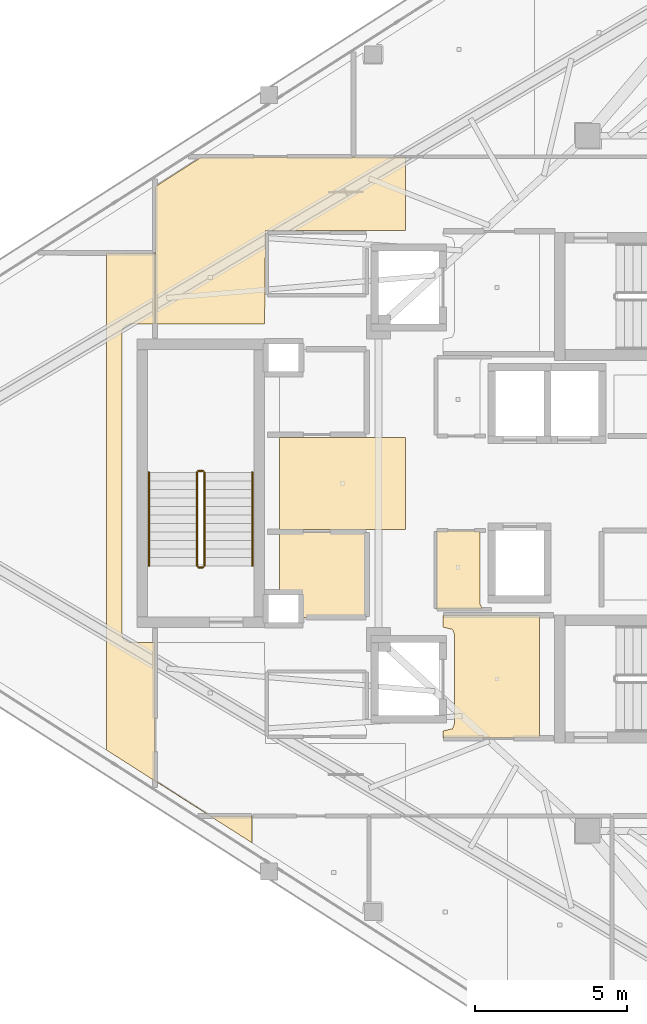
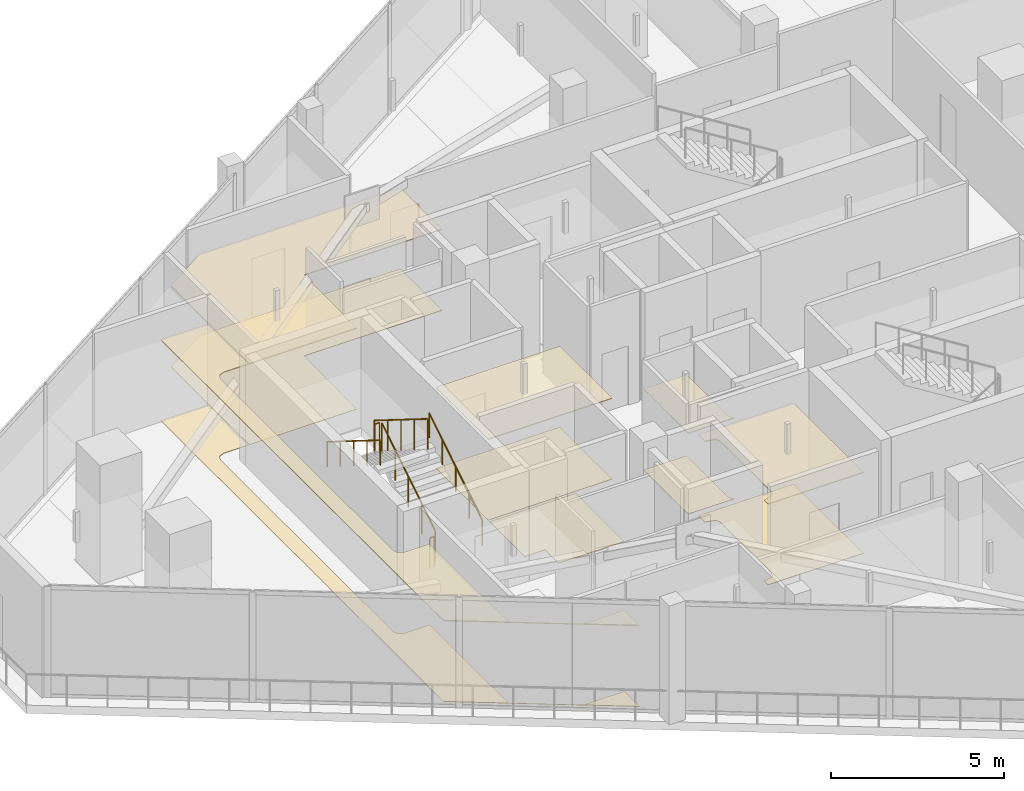
# One storey, part 27 of 30: 11 coverings, 6 railings.
"""IFC4 building model written with IfcOpenShell, lengths in metres."""

from ifc_helpers import new_model, si_unit, direction, frame, origin, origin_2d, place, context, subcontext, project, spatial, polyline, circle, outline, extrude, material, layer, layer_set, type_object, element, save


model = new_model("IFC4")

# Units and contexts
model_context = context("Model", 3, precision=1e-05, world=origin(), true_north=direction((0.0, 1.0)))
body_context = subcontext(model_context, "Body", "Model", "MODEL_VIEW")
ifc_project = project(units=[si_unit("LENGTHUNIT", "METRE"), si_unit("AREAUNIT", "SQUARE_METRE"), si_unit("VOLUMEUNIT", "CUBIC_METRE"), si_unit("PLANEANGLEUNIT", "RADIAN"), si_unit("MASSUNIT", "GRAM", prefix="KILO")], contexts=[model_context])

# Site, building, storey
site_placement = place(None, origin())
site = spatial("IfcSite", under=ifc_project, at=site_placement, CompositionType="ELEMENT")
building_placement = place(site_placement, origin())
building = spatial("IfcBuilding", under=site, at=building_placement, Name="Qorvath Tower", CompositionType="ELEMENT")
storey_placement = place(building_placement, frame((0.0, 0.0, 301.800048828125)))
storey = spatial("IfcBuildingStorey", under=building, at=storey_placement, Name="L70", CompositionType="ELEMENT", Elevation=301.800048828125)

# Coverings
ifc_material_1 = material(Name="Acoustic mineral fibre ceiling tile", Category="gypsum")
ifc_layer_1 = layer(ifc_material_1, 0.030029296875)
ifc_layer_set_1 = layer_set([ifc_layer_1], Name="COV-CEIL")
covering_type_1 = type_object("IfcCoveringType", Name="COV-CEIL", PredefinedType="CEILING", material=ifc_layer_set_1)
covering_1_placement = place(storey_placement, frame((0.0, 0.0, 2.849853515625)))
element("IfcCovering", 1, at=covering_1_placement, inside=storey, type_object=covering_type_1, Name="L70 Suspended Acoustic Ceiling 002", PredefinedType="CEILING", context=body_context, shape_type="SweptSolid", body=[
    extrude(outline(polyline([(-25.18994140625, -8.39501953125), (-25.18994140625, -4.35498046875), (-28.375, -4.35498046875), (-28.375, -4.739990234375), (-28.063232421875, -4.813232421875), (-27.989990234375, -4.989990234375), (-27.989990234375, -7.909912109375), (-28.063232421875, -8.086669921875), (-28.375, -8.159912109375), (-28.375, -8.39501953125), (-25.18994140625, -8.39501953125)])), origin(), (0.0, 0.0, 1.0), 0.030029296875),
])
covering_2_placement = place(storey_placement, frame((0.0, 0.0, 2.849853515625)))
element("IfcCovering", 2, at=covering_2_placement, inside=storey, type_object=covering_type_1, Name="L70 Suspended Acoustic Ceiling 006", PredefinedType="CEILING", context=body_context, shape_type="SweptSolid", body=[
    extrude(outline(polyline([(-27.06689453125, -4.14501953125), (-27.159912109375, -3.9599609375), (-27.159912109375, -1.56494140625), (-28.594970703125, -1.56494140625), (-28.594970703125, -4.14501953125), (-27.06689453125, -4.14501953125)])), origin(), (0.0, 0.0, 1.0), 0.030029296875),
])
covering_3_placement = place(storey_placement, frame((0.0, 0.0, 2.849853515625)))
element("IfcCovering", 3, at=covering_3_placement, inside=storey, type_object=covering_type_1, Name="L70 Suspended Acoustic Ceiling 012", PredefinedType="CEILING", context=body_context, shape_type="SweptSolid", body=[
    extrude(outline(polyline([(-29.614990234375, 8.324951171875), (-29.614990234375, 10.7451171875), (-36.3310546875, 10.7451171875), (-37.844970703125, 9.77734375), (-37.844970703125, 5.239990234375), (-34.2509765625, 5.239990234375), (-34.219970703125, 8.324951171875), (-29.614990234375, 8.324951171875)])), origin(), (0.0, 0.0, 1.0), 0.030029296875),
])
covering_4_placement = place(storey_placement, frame((0.0, 0.0, 2.849853515625)))
element("IfcCovering", 4, at=covering_4_placement, inside=storey, type_object=covering_type_1, Name="L70 Suspended Acoustic Ceiling 013", PredefinedType="CEILING", context=body_context, shape_type="SweptSolid", body=[
    extrude(outline(polyline([(-29.614990234375, -1.514892578125), (-29.614990234375, 1.514892578125), (-33.760009765625, 1.514892578125), (-33.760009765625, -1.514892578125), (-29.614990234375, -1.514892578125)])), origin(), (0.0, 0.0, 1.0), 0.030029296875),
])
covering_5_placement = place(storey_placement, frame((0.0, 0.0, 2.849853515625)))
element("IfcCovering", 5, at=covering_5_placement, inside=storey, type_object=covering_type_1, Name="L70 Suspended Acoustic Ceiling 036", PredefinedType="CEILING", context=body_context, shape_type="SweptSolid", body=[
    extrude(outline(polyline([(-39.455810546875, 7.58251953125), (-39.455810546875, -8.791259765625), (-34.6630859375, -11.8466796875), (-34.6630859375, -10.962890625), (-36.024658203125, -10.962158203125), (-37.860595703125, -9.788818359375), (-37.863037109375, -5.239990234375), (-38.699951171875, -5.239990234375), (-38.876708984375, -5.166748046875), (-38.949951171875, -4.989990234375), (-38.949951171875, 4.989990234375), (-38.876708984375, 5.166748046875), (-38.699951171875, 5.239990234375), (-37.863037109375, 5.239990234375), (-37.863037109375, 7.572021484375), (-39.455810546875, 7.58251953125)])), origin(), (0.0, 0.0, 1.0), 0.030029296875),
])
ifc_material_2 = material(Name="Low-VOC modular carpet tile", Category="textile")
ifc_layer_2 = layer(ifc_material_2, 0.014892578125)
ifc_layer_set_2 = layer_set([ifc_layer_2], Name="COV-FLOOR-CPT")
covering_type_2 = type_object("IfcCoveringType", Name="COV-FLOOR-CPT", PredefinedType="FLOORING", material=ifc_layer_set_2)
covering_6_placement = place(storey_placement, origin())
element("IfcCovering", 6, at=covering_6_placement, inside=storey, type_object=covering_type_2, Name="L70 Floor Finish 006", PredefinedType="FLOORING", context=body_context, shape_type="SweptSolid", body=[
    extrude(outline(polyline([(-27.06689453125, -4.14501953125), (-27.159912109375, -3.9599609375), (-27.159912109375, -1.56494140625), (-28.594970703125, -1.56494140625), (-28.594970703125, -4.14501953125), (-27.06689453125, -4.14501953125)])), origin(), (0.0, 0.0, 1.0), 0.014892578125),
])
covering_7_placement = place(storey_placement, origin())
element("IfcCovering", 7, at=covering_7_placement, inside=storey, type_object=covering_type_2, Name="L70 Floor Finish 010", PredefinedType="FLOORING", context=body_context, shape_type="SweptSolid", body=[
    extrude(outline(polyline([(-30.885009765625, -4.4150390625), (-30.885009765625, -1.60498046875), (-33.760009765625, -1.60498046875), (-33.760009765625, -3.636962890625), (-33.08837890625, -3.638427734375), (-33.0869140625, -4.4150390625), (-30.885009765625, -4.4150390625)])), origin(), (0.0, 0.0, 1.0), 0.014892578125),
])
covering_8_placement = place(storey_placement, origin())
element("IfcCovering", 8, at=covering_8_placement, inside=storey, type_object=covering_type_2, Name="L70 Floor Finish 036", PredefinedType="FLOORING", context=body_context, shape_type="SweptSolid", body=[
    extrude(outline(polyline([(-39.455810546875, 7.58251953125), (-39.455810546875, -8.791259765625), (-34.6630859375, -11.8466796875), (-34.6630859375, -10.962890625), (-36.024658203125, -10.962158203125), (-37.860595703125, -9.788818359375), (-37.863037109375, -5.239990234375), (-38.699951171875, -5.239990234375), (-38.876708984375, -5.166748046875), (-38.949951171875, -4.989990234375), (-38.949951171875, 4.989990234375), (-38.876708984375, 5.166748046875), (-38.699951171875, 5.239990234375), (-37.863037109375, 5.239990234375), (-37.863037109375, 7.572021484375), (-39.455810546875, 7.58251953125)])), origin(), (0.0, 0.0, 1.0), 0.014892578125),
])
ifc_material_3 = material(Name="Polished epoxy terrazzo flooring", Category="concrete")
ifc_layer_3 = layer(ifc_material_3, 0.02001953125)
ifc_layer_set_3 = layer_set([ifc_layer_3], Name="COV-FLOOR-TRZ")
covering_type_3 = type_object("IfcCoveringType", Name="COV-FLOOR-TRZ", PredefinedType="FLOORING", material=ifc_layer_set_3)
covering_9_placement = place(storey_placement, origin())
element("IfcCovering", 9, at=covering_9_placement, inside=storey, type_object=covering_type_3, Name="L70 Floor Finish 002", PredefinedType="FLOORING", context=body_context, shape_type="SweptSolid", body=[
    extrude(outline(polyline([(-25.18994140625, -8.39501953125), (-25.18994140625, -4.35498046875), (-28.375, -4.35498046875), (-28.375, -4.739990234375), (-28.063232421875, -4.813232421875), (-27.989990234375, -4.989990234375), (-27.989990234375, -7.909912109375), (-28.063232421875, -8.086669921875), (-28.375, -8.159912109375), (-28.375, -8.39501953125), (-25.18994140625, -8.39501953125)])), origin(), (0.0, 0.0, 1.0), 0.014892578125),
])
covering_10_placement = place(storey_placement, origin())
element("IfcCovering", 10, at=covering_10_placement, inside=storey, type_object=covering_type_3, Name="L70 Floor Finish 012", PredefinedType="FLOORING", context=body_context, shape_type="SweptSolid", body=[
    extrude(outline(polyline([(-29.614990234375, 8.324951171875), (-29.614990234375, 10.7451171875), (-36.3310546875, 10.7451171875), (-37.844970703125, 9.77734375), (-37.844970703125, 5.239990234375), (-34.2509765625, 5.239990234375), (-34.219970703125, 8.324951171875), (-29.614990234375, 8.324951171875)])), origin(), (0.0, 0.0, 1.0), 0.014892578125),
])
covering_11_placement = place(storey_placement, origin())
element("IfcCovering", 11, at=covering_11_placement, inside=storey, type_object=covering_type_3, Name="L70 Floor Finish 013", PredefinedType="FLOORING", context=body_context, shape_type="SweptSolid", body=[
    extrude(outline(polyline([(-29.614990234375, -1.514892578125), (-29.614990234375, 1.514892578125), (-33.760009765625, 1.514892578125), (-33.760009765625, -1.514892578125), (-29.614990234375, -1.514892578125)])), origin(), (0.0, 0.0, 1.0), 0.014892578125),
])

# Railings
ifc_material_4 = material(Name="Painted galvanised steel", Category="steel")
railing_type_1 = type_object("IfcRailingType", Name="RL-STR-GRD", PredefinedType="GUARDRAIL", material=ifc_material_4)
railing_1_placement = place(storey_placement, frame((-36.22998046875, -2.719970703125, 0.175048828125)))
element("IfcRailing", 12, at=railing_1_placement, inside=storey, type_object=railing_type_1, Name="L70 TS3 stair guard 1", PredefinedType="GUARDRAIL", context=body_context, shape_type="SweptSolid", body=[
    extrude(circle(Radius=0.02392578125, at=origin_2d()), frame((0.0, 0.0, 1.076171875), z_axis=(0.0, 0.848028513186, 0.529950602248), x_axis=(-1.0, 0.0, 0.0)), (0.0, 0.0, 1.0), 3.632080078125),
    extrude(circle(Radius=0.02099609375, at=origin_2d()), origin(), (0.0, 0.0, 1.0), 1.052001953125),
    extrude(circle(Radius=0.02099609375, at=origin_2d()), frame((0.0, 0.77001953125, 0.481201171875)), (0.0, 0.0, 1.0), 1.052001953125),
    extrude(circle(Radius=0.02099609375, at=origin_2d()), frame((0.0, 1.5400390625, 0.96240234375)), (0.0, 0.0, 1.0), 1.052001953125),
    extrude(circle(Radius=0.02099609375, at=origin_2d()), frame((0.0, 2.31005859375, 1.443603515625)), (0.0, 0.0, 1.0), 1.052001953125),
    extrude(circle(Radius=0.02099609375, at=origin_2d()), frame((0.0, 3.080078125, 1.9248046875)), (0.0, 0.0, 1.0), 1.052001953125),
])
railing_2_placement = place(storey_placement, frame((-36.280029296875, 0.409912109375, 2.099853515625)))
element("IfcRailing", 13, at=railing_2_placement, inside=storey, type_object=railing_type_1, Name="L70 TS3 stair guard 2", PredefinedType="GUARDRAIL", context=body_context, shape_type="SweptSolid", body=[
    extrude(circle(Radius=0.02392578125, at=origin_2d()), frame((0.0, 0.0, 1.076171875), z_axis=(-1.0, 0.0, 0.0), x_axis=(0.0, -1.0, 0.0)), (0.0, 0.0, 1.0), 0.14990234375),
    extrude(circle(Radius=0.02099609375, at=origin_2d()), origin(), (0.0, 0.0, 1.0), 1.052001953125),
    extrude(circle(Radius=0.02099609375, at=origin_2d()), frame((-0.14990234375, 0.0, 0.0)), (0.0, 0.0, 1.0), 1.052001953125),
])
railing_3_placement = place(storey_placement, frame((-36.47998046875, 0.360107421875, 2.27490234375)))
element("IfcRailing", 14, at=railing_3_placement, inside=storey, type_object=railing_type_1, Name="L70 TS3 stair guard 3", PredefinedType="GUARDRAIL", context=body_context, shape_type="SweptSolid", body=[
    extrude(circle(Radius=0.02392578125, at=origin_2d()), frame((0.0, 0.0, 1.076171875), z_axis=(0.0, -0.847998304005, 0.529998940003), x_axis=(1.0, 0.0, 0.0)), (0.0, 0.0, 1.0), 3.632080078125),
    extrude(circle(Radius=0.02099609375, at=origin_2d()), origin(), (0.0, 0.0, 1.0), 1.052001953125),
    extrude(circle(Radius=0.02099609375, at=origin_2d()), frame((0.0, -0.77001953125, 0.481201171875)), (0.0, 0.0, 1.0), 1.052001953125),
    extrude(circle(Radius=0.02099609375, at=origin_2d()), frame((0.0, -1.5400390625, 0.96240234375)), (0.0, 0.0, 1.0), 1.052001953125),
    extrude(circle(Radius=0.02099609375, at=origin_2d()), frame((0.0, -2.31005859375, 1.44384765625)), (0.0, 0.0, 1.0), 1.052001953125),
    extrude(circle(Radius=0.02099609375, at=origin_2d()), frame((0.0, -3.080078125, 1.925048828125)), (0.0, 0.0, 1.0), 1.052001953125),
])
railing_4_placement = place(storey_placement, frame((-36.280029296875, -2.77001953125, 0.0)))
element("IfcRailing", 15, at=railing_4_placement, inside=storey, type_object=railing_type_1, Name="L70 TS3 stair guard 4", PredefinedType="GUARDRAIL", context=body_context, shape_type="SweptSolid", body=[
    extrude(circle(Radius=0.02392578125, at=origin_2d()), frame((0.0, 0.0, 1.076171875), z_axis=(-1.0, 0.0, 0.0), x_axis=(0.0, -1.0, 0.0)), (0.0, 0.0, 1.0), 0.14990234375),
    extrude(circle(Radius=0.02099609375, at=origin_2d()), origin(), (0.0, 0.0, 1.0), 1.052001953125),
    extrude(circle(Radius=0.02099609375, at=origin_2d()), frame((-0.14990234375, 0.0, 0.0)), (0.0, 0.0, 1.0), 1.052001953125),
])
ifc_material_5 = material(Name="Brushed stainless steel AISI 304", Category="steel")
railing_type_2 = type_object("IfcRailingType", Name="RL-STR-HND", PredefinedType="HANDRAIL", material=ifc_material_5)
railing_5_placement = place(storey_placement, frame((-34.64990234375, -2.719970703125, 0.175048828125)))
element("IfcRailing", 16, at=railing_5_placement, inside=storey, type_object=railing_type_2, Name="L70 TS3 stair handrail 1", PredefinedType="HANDRAIL", context=body_context, shape_type="SweptSolid", body=[
    extrude(circle(Radius=0.02392578125, at=origin_2d()), frame((0.0, 0.0, 0.8759765625), z_axis=(0.0, 0.848028513186, 0.529950602248), x_axis=(-1.0, 0.0, 0.0)), (0.0, 0.0, 1.0), 3.632080078125),
    extrude(circle(Radius=0.02099609375, at=origin_2d()), origin(), (0.0, 0.0, 1.0), 0.851806640625),
    extrude(circle(Radius=0.02099609375, at=origin_2d()), frame((0.0, 0.77001953125, 0.481201171875)), (0.0, 0.0, 1.0), 0.851806640625),
    extrude(circle(Radius=0.02099609375, at=origin_2d()), frame((0.0, 1.5400390625, 0.96240234375)), (0.0, 0.0, 1.0), 0.851806640625),
    extrude(circle(Radius=0.02099609375, at=origin_2d()), frame((0.0, 2.31005859375, 1.443603515625)), (0.0, 0.0, 1.0), 0.851806640625),
    extrude(circle(Radius=0.02099609375, at=origin_2d()), frame((0.0, 3.080078125, 1.9248046875)), (0.0, 0.0, 1.0), 0.851806640625),
])
railing_6_placement = place(storey_placement, frame((-38.06005859375, 0.360107421875, 2.27490234375)))
element("IfcRailing", 17, at=railing_6_placement, inside=storey, type_object=railing_type_2, Name="L70 TS3 stair handrail 2", PredefinedType="HANDRAIL", context=body_context, shape_type="SweptSolid", body=[
    extrude(circle(Radius=0.02392578125, at=origin_2d()), frame((0.0, 0.0, 0.8759765625), z_axis=(0.0, -0.847998304005, 0.529998940003), x_axis=(1.0, 0.0, 0.0)), (0.0, 0.0, 1.0), 3.632080078125),
    extrude(circle(Radius=0.02099609375, at=origin_2d()), origin(), (0.0, 0.0, 1.0), 0.851806640625),
    extrude(circle(Radius=0.02099609375, at=origin_2d()), frame((0.0, -0.77001953125, 0.481201171875)), (0.0, 0.0, 1.0), 0.851806640625),
    extrude(circle(Radius=0.02099609375, at=origin_2d()), frame((0.0, -1.5400390625, 0.96240234375)), (0.0, 0.0, 1.0), 0.851806640625),
    extrude(circle(Radius=0.02099609375, at=origin_2d()), frame((0.0, -2.31005859375, 1.44384765625)), (0.0, 0.0, 1.0), 0.851806640625),
    extrude(circle(Radius=0.02099609375, at=origin_2d()), frame((0.0, -3.080078125, 1.925048828125)), (0.0, 0.0, 1.0), 0.851806640625),
])

save(model, "model.ifc")
